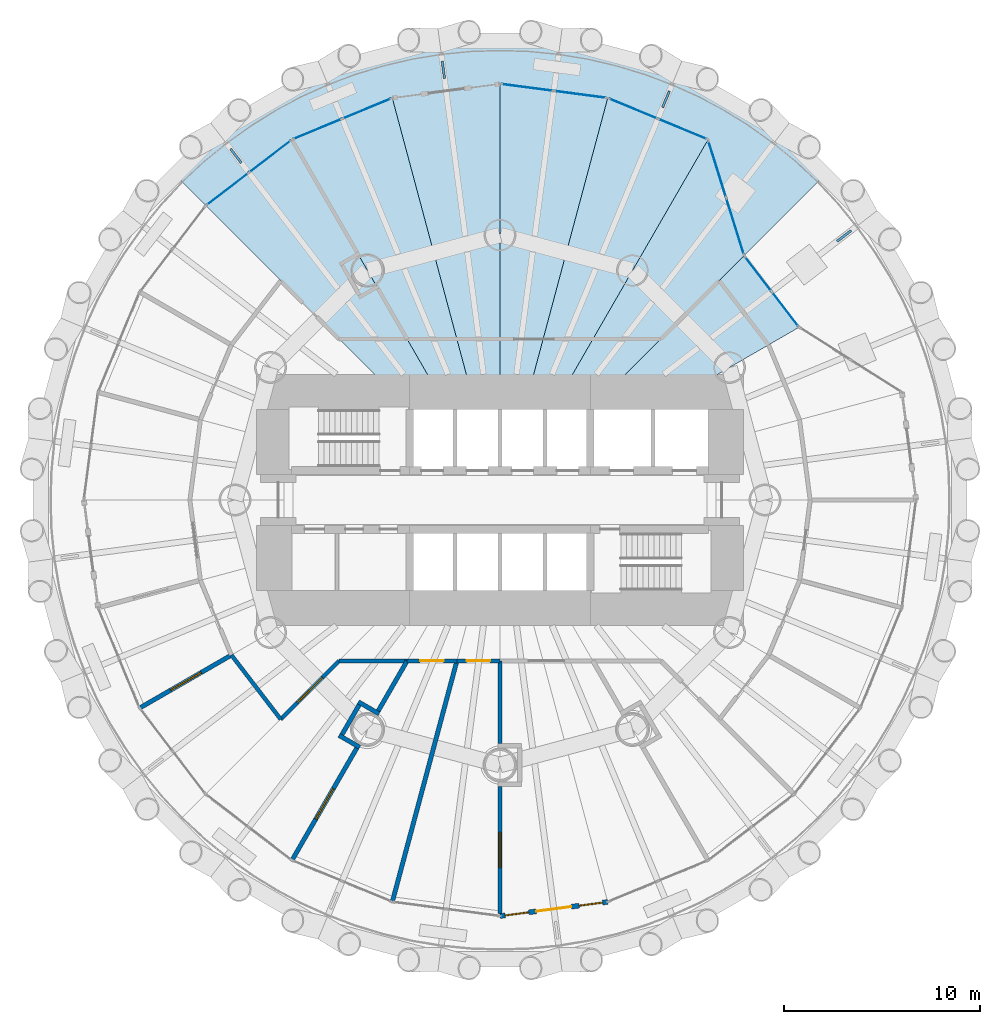
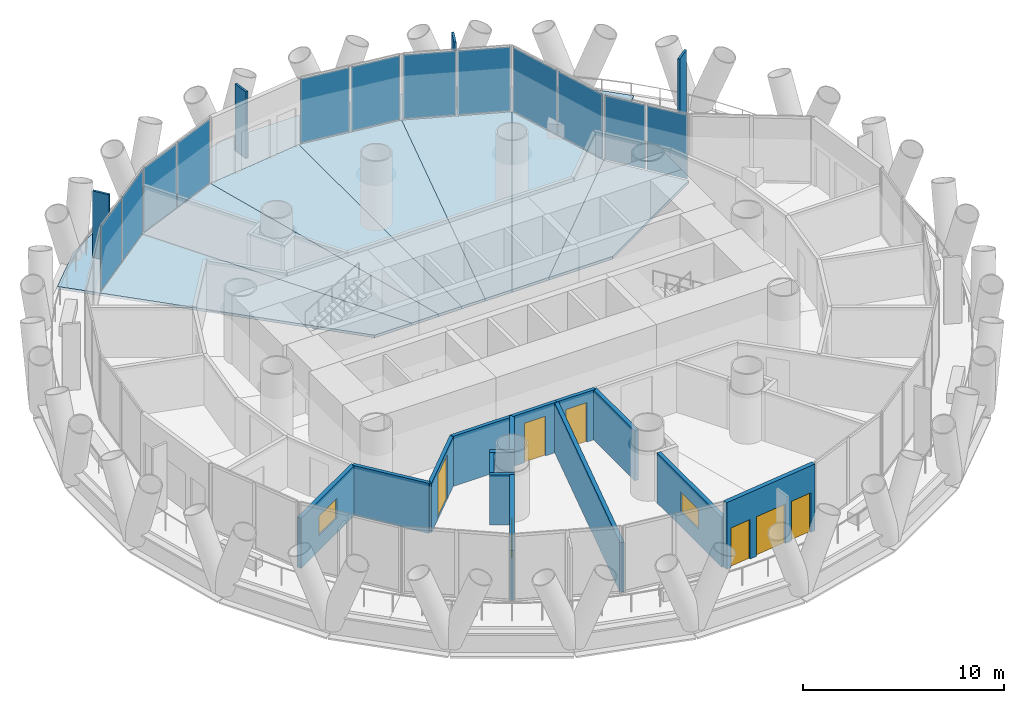
# One storey, part 8 of 15: 16 plates, 15 walls, 8 slabs, 5 windows, 4 doors, 9 openings, 6 elements without a shape of their own.
"""IFC4 building model written with IfcOpenShell, lengths in metres."""

from ifc_helpers import new_model, si_unit, direction, frame, frame_2d, origin, origin_2d, place, context, subcontext, project, spatial, polyline, rectangle, outline, extrude, material, layer, layer_set, type_object, element, fill, aggregate, save


model = new_model("IFC4")

# Units and contexts
model_context = context("Model", 3, precision=1e-05, world=origin(), true_north=direction((0.0, 1.0)))
body_context = subcontext(model_context, "Body", "Model", "MODEL_VIEW")
ifc_project = project(units=[si_unit("LENGTHUNIT", "METRE"), si_unit("AREAUNIT", "SQUARE_METRE"), si_unit("VOLUMEUNIT", "CUBIC_METRE"), si_unit("PLANEANGLEUNIT", "RADIAN"), si_unit("MASSUNIT", "GRAM", prefix="KILO")], contexts=[model_context])

# Site, building, storey
site_placement = place(None, origin())
site = spatial("IfcSite", under=ifc_project, at=site_placement, CompositionType="ELEMENT")
building_placement = place(site_placement, origin())
building = spatial("IfcBuilding", under=site, at=building_placement, Name="Qaws Media Tower", CompositionType="ELEMENT")
storey_placement = place(building_placement, frame((0.0, 0.0, 34.39990234375)))
storey = spatial("IfcBuildingStorey", under=building, at=storey_placement, Name="L06", CompositionType="ELEMENT", Elevation=34.39990234375)

# Slabs
ifc_material_1 = material(Name="Concrete C35/45", Category="concrete")
ifc_layer_1 = layer(ifc_material_1, 0.159912109375)
ifc_layer_set_1 = layer_set([ifc_layer_1], Name="Composite balcony slab 160")
slab_type_1 = type_object("IfcSlabType", Name="Composite balcony slab 160", PredefinedType="FLOOR", material=ifc_layer_set_1)
slab_1_placement = place(storey_placement, frame((0.0, 0.0, -0.159912109375)))
element("IfcSlab", 1, at=slab_1_placement, inside=storey, type_object=slab_type_1, Name="S2 balcony slab L06 R04 to R10, movement joints on R04 and R10", PredefinedType="FLOOR", context=body_context, shape_type="SweptSolid", body=[
    extrude(outline(polyline([(45.63330078125, 68.72314453125), (50.96875, 71.8037109375), (56.919677734375, 73.398193359375), (63.080322265625, 73.398193359375), (69.03125, 71.8037109375), (74.36669921875, 68.72314453125), (76.544921875, 66.544921875), (72.445068359375, 62.445068359375), (70.60009765625, 68.359619140625), (65.487060546875, 70.4775390625), (60.0, 71.199951171875), (54.512939453125, 70.4775390625), (49.39990234375, 68.359619140625), (45.00927734375, 64.99072265625), (43.455078125, 66.544921875), (45.63330078125, 68.72314453125)])), origin(), (0.0, 0.0, 1.0), 0.159912109375),
])
ifc_material_2 = material(Name="Concrete C35/45", Category="concrete")
ifc_layer_2 = layer(ifc_material_2, 0.159912109375)
ifc_layer_set_2 = layer_set([ifc_layer_2], Name="Composite floor slab 160")
slab_type_2 = type_object("IfcSlabType", Name="Composite floor slab 160", PredefinedType="FLOOR", material=ifc_layer_set_2)
slab_2_placement = place(storey_placement, frame((0.0, 0.0, -0.159912109375)))
element("IfcSlab", 2, at=slab_2_placement, inside=storey, type_object=slab_type_2, Name="S1 floor panel L06 on R03+7.5", PredefinedType="FLOOR", context=body_context, shape_type="SweptSolid", body=[
    extrude(outline(polyline([(72.445068359375, 62.445068359375), (75.241943359375, 58.800048828125), (68.660400390625, 55.0), (65.0, 55.0), (72.445068359375, 62.445068359375)])), origin(), (0.0, 0.0, 1.0), 0.159912109375),
])
slab_3_placement = place(storey_placement, frame((0.0, 0.0, -0.159912109375)))
element("IfcSlab", 3, at=slab_3_placement, inside=storey, type_object=slab_type_2, Name="S1 floor panel L06 on R04+7.5", PredefinedType="FLOOR", context=body_context, shape_type="SweptSolid", body=[
    extrude(outline(polyline([(72.445068359375, 62.445068359375), (65.0, 55.0), (62.88671875, 55.0), (70.60009765625, 68.359619140625), (72.445068359375, 62.445068359375)])), origin(), (0.0, 0.0, 1.0), 0.159912109375),
])
slab_4_placement = place(storey_placement, frame((0.0, 0.0, -0.159912109375)))
element("IfcSlab", 4, at=slab_4_placement, inside=storey, type_object=slab_type_2, Name="S1 floor panel L06 on R05+7.5", PredefinedType="FLOOR", context=body_context, shape_type="SweptSolid", body=[
    extrude(outline(polyline([(65.487060546875, 70.4775390625), (70.60009765625, 68.359619140625), (62.88671875, 55.0), (61.339599609375, 55.0), (65.487060546875, 70.4775390625)])), origin(), (0.0, 0.0, 1.0), 0.159912109375),
])
slab_5_placement = place(storey_placement, frame((0.0, 0.0, -0.159912109375)))
element("IfcSlab", 5, at=slab_5_placement, inside=storey, type_object=slab_type_2, Name="S1 floor panel L06 on R06+7.5", PredefinedType="FLOOR", context=body_context, shape_type="SweptSolid", body=[
    extrude(outline(polyline([(65.487060546875, 70.4775390625), (61.339599609375, 55.0), (60.0, 55.0), (60.0, 71.199951171875), (65.487060546875, 70.4775390625)])), origin(), (0.0, 0.0, 1.0), 0.159912109375),
])
slab_6_placement = place(storey_placement, frame((0.0, 0.0, -0.159912109375)))
element("IfcSlab", 6, at=slab_6_placement, inside=storey, type_object=slab_type_2, Name="S1 floor panel L06 on R07+7.5", PredefinedType="FLOOR", context=body_context, shape_type="SweptSolid", body=[
    extrude(outline(polyline([(60.0, 71.199951171875), (60.0, 55.0), (58.660400390625, 55.0), (54.512939453125, 70.4775390625), (60.0, 71.199951171875)])), origin(), (0.0, 0.0, 1.0), 0.159912109375),
])
slab_7_placement = place(storey_placement, frame((0.0, 0.0, -0.159912109375)))
element("IfcSlab", 7, at=slab_7_placement, inside=storey, type_object=slab_type_2, Name="S1 floor panel L06 on R08+7.5", PredefinedType="FLOOR", context=body_context, shape_type="SweptSolid", body=[
    extrude(outline(polyline([(49.39990234375, 68.359619140625), (54.512939453125, 70.4775390625), (58.660400390625, 55.0), (57.11328125, 55.0), (49.39990234375, 68.359619140625)])), origin(), (0.0, 0.0, 1.0), 0.159912109375),
])
slab_8_placement = place(storey_placement, frame((0.0, 0.0, -0.159912109375)))
element("IfcSlab", 8, at=slab_8_placement, inside=storey, type_object=slab_type_2, Name="S1 floor panel L06 on R09+7.5", PredefinedType="FLOOR", context=body_context, shape_type="SweptSolid", body=[
    extrude(outline(polyline([(49.39990234375, 68.359619140625), (57.11328125, 55.0), (55.0, 55.0), (45.00927734375, 64.99072265625), (49.39990234375, 68.359619140625)])), origin(), (0.0, 0.0, 1.0), 0.159912109375),
])

# Curtain wall, plates
ifc_material_3 = material(Name="Aluminium and clear glass", Category="aluminium")
curtain_wall_type_1 = type_object("IfcCurtainWallType", Name="Loggia curtain wall CW-G", PredefinedType="NOTDEFINED", material=ifc_material_3)
curtain_wall_1_placement = place(storey_placement, origin())
curtain_wall_1 = element("IfcCurtainWall", 9, at=curtain_wall_1_placement, inside=storey, type_object=curtain_wall_type_1, Name="CWG curtain wall L06-03", PredefinedType="NOTDEFINED")
ifc_material_4 = material(Name="Clear laminated double glazing", Category="glass")
ifc_layer_3 = layer(ifc_material_4, 0.031982421875)
ifc_layer_set_3 = layer_set([ifc_layer_3], Name="Curtain wall glass unit 32")
plate_type_1 = type_object("IfcPlateType", Name="Curtain wall glass unit 32", PredefinedType="CURTAIN_PANEL", material=ifc_layer_set_3)
plate_1_placement = place(storey_placement, frame((74.530517578125, 59.72705078125, 0.080078125), z_axis=(0.0, 0.0, 1.0), x_axis=(-0.608761498879, 0.793353286678, 0.0)))
plate_1 = element("IfcPlate", 10, at=plate_1_placement, type_object=plate_type_1, Name="CWG panel 1.1", PredefinedType="CURTAIN_PANEL", context=body_context, shape_type="SweptSolid", body=[
    extrude(rectangle(XDim=2.17724609375, YDim=0.031982421875, at=origin_2d()), origin(), (0.0, 0.0, 1.0), 3.8798828125),
])
plate_2_placement = place(storey_placement, frame((73.156494140625, 61.517822265625, 0.080078125), z_axis=(0.0, 0.0, 1.0), x_axis=(-0.608761498879, 0.793353286678, 0.0)))
plate_2 = element("IfcPlate", 11, at=plate_2_placement, type_object=plate_type_1, Name="CWG panel 2.1", PredefinedType="CURTAIN_PANEL", context=body_context, shape_type="SweptSolid", body=[
    extrude(rectangle(XDim=2.17724609375, YDim=0.031982421875, at=origin_2d()), origin(), (0.0, 0.0, 1.0), 3.8798828125),
])
aggregate(curtain_wall_1, [plate_1, plate_2])

curtain_wall_2_placement = place(storey_placement, origin())
curtain_wall_2 = element("IfcCurtainWall", 12, at=curtain_wall_2_placement, inside=storey, type_object=curtain_wall_type_1, Name="CWG curtain wall L06-04", PredefinedType="NOTDEFINED")
plate_3_placement = place(storey_placement, frame((71.977783203125, 63.94287109375, 0.080078125), z_axis=(0.0, 0.0, 1.0), x_axis=(-0.297796741414, 0.954629300201, 0.0)))
plate_3 = element("IfcPlate", 13, at=plate_3_placement, type_object=plate_type_1, Name="CWG panel 1.1", PredefinedType="CURTAIN_PANEL", context=body_context, shape_type="SweptSolid", body=[
    extrude(rectangle(XDim=2.977783203125, YDim=0.031982421875, at=origin_2d()), origin(), (0.0, 0.0, 1.0), 3.8798828125),
])
plate_4_placement = place(storey_placement, frame((71.067138671875, 66.862060546875, 0.080078125), z_axis=(0.0, 0.0, 1.0), x_axis=(-0.297796741414, 0.954629300201, 0.0)))
plate_4 = element("IfcPlate", 14, at=plate_4_placement, type_object=plate_type_1, Name="CWG panel 2.1", PredefinedType="CURTAIN_PANEL", context=body_context, shape_type="SweptSolid", body=[
    extrude(rectangle(XDim=2.977783203125, YDim=0.031982421875, at=origin_2d()), origin(), (0.0, 0.0, 1.0), 3.8798828125),
])
aggregate(curtain_wall_2, [plate_3, plate_4])

ifc_material_5 = material(Name="Aluminium and clear glass", Category="aluminium")
curtain_wall_type_2 = type_object("IfcCurtainWallType", Name="Unitised curtain wall CW-A", PredefinedType="NOTDEFINED", material=ifc_material_5)
curtain_wall_3_placement = place(storey_placement, origin())
curtain_wall_3 = element("IfcCurtainWall", 15, at=curtain_wall_3_placement, inside=storey, type_object=curtain_wall_type_2, Name="CWA curtain wall L06-05", PredefinedType="NOTDEFINED")
plate_5_placement = place(storey_placement, frame((69.30322265625, 68.89697265625, 0.080078125), z_axis=(0.0, 0.0, 1.0), x_axis=(-0.923879523321, 0.382683454553, 0.0)))
plate_5 = element("IfcPlate", 16, at=plate_5_placement, type_object=plate_type_1, Name="CWA panel 1.1", PredefinedType="CURTAIN_PANEL", context=body_context, shape_type="SweptSolid", body=[
    extrude(rectangle(XDim=2.647216796875, YDim=0.031982421875, at=origin_2d()), origin(), (0.0, 0.0, 1.0), 3.8798828125),
])
plate_6_placement = place(storey_placement, frame((66.78369140625, 69.9404296875, 0.080078125), z_axis=(0.0, 0.0, 1.0), x_axis=(-0.923879523321, 0.382683454553, 0.0)))
plate_6 = element("IfcPlate", 17, at=plate_6_placement, type_object=plate_type_1, Name="CWA panel 2.1", PredefinedType="CURTAIN_PANEL", context=body_context, shape_type="SweptSolid", body=[
    extrude(rectangle(XDim=2.647216796875, YDim=0.031982421875, at=origin_2d()), origin(), (0.0, 0.0, 1.0), 3.8798828125),
])
aggregate(curtain_wall_3, [plate_5, plate_6])

curtain_wall_4_placement = place(storey_placement, origin())
curtain_wall_4 = element("IfcCurtainWall", 18, at=curtain_wall_4_placement, inside=storey, type_object=curtain_wall_type_2, Name="CWA curtain wall L06-06", PredefinedType="NOTDEFINED")
plate_7_placement = place(storey_placement, frame((64.095458984375, 70.660888671875, 0.080078125), z_axis=(0.0, 0.0, 1.0), x_axis=(-0.991444873411, 0.130526100786, 0.0)))
plate_7 = element("IfcPlate", 19, at=plate_7_placement, type_object=plate_type_1, Name="CWA panel 1.1", PredefinedType="CURTAIN_PANEL", context=body_context, shape_type="SweptSolid", body=[
    extrude(rectangle(XDim=2.647216796875, YDim=0.031982421875, at=origin_2d()), origin(), (0.0, 0.0, 1.0), 3.8798828125),
])
plate_8_placement = place(storey_placement, frame((61.3916015625, 71.016845703125, 0.080078125), z_axis=(0.0, 0.0, 1.0), x_axis=(-0.991444873411, 0.130526100786, 0.0)))
plate_8 = element("IfcPlate", 20, at=plate_8_placement, type_object=plate_type_1, Name="CWA panel 2.1", PredefinedType="CURTAIN_PANEL", context=body_context, shape_type="SweptSolid", body=[
    extrude(rectangle(XDim=2.647216796875, YDim=0.031982421875, at=origin_2d()), origin(), (0.0, 0.0, 1.0), 3.8798828125),
])
aggregate(curtain_wall_4, [plate_7, plate_8])

curtain_wall_5_placement = place(storey_placement, origin())
curtain_wall_5 = element("IfcCurtainWall", 21, at=curtain_wall_5_placement, inside=storey, type_object=curtain_wall_type_2, Name="CWA curtain wall L06-08", PredefinedType="NOTDEFINED")
plate_9_placement = place(storey_placement, frame((53.21630859375, 69.9404296875, 0.080078125), z_axis=(0.0, 0.0, 1.0), x_axis=(-0.923879523321, -0.382683454553, 0.0)))
plate_9 = element("IfcPlate", 22, at=plate_9_placement, type_object=plate_type_1, Name="CWA panel 1.1", PredefinedType="CURTAIN_PANEL", context=body_context, shape_type="SweptSolid", body=[
    extrude(rectangle(XDim=2.647216796875, YDim=0.031982421875, at=origin_2d()), origin(), (0.0, 0.0, 1.0), 3.8798828125),
])
plate_10_placement = place(storey_placement, frame((50.69677734375, 68.89697265625, 0.080078125), z_axis=(0.0, 0.0, 1.0), x_axis=(-0.923879523321, -0.382683454553, 0.0)))
plate_10 = element("IfcPlate", 23, at=plate_10_placement, type_object=plate_type_1, Name="CWA panel 2.1", PredefinedType="CURTAIN_PANEL", context=body_context, shape_type="SweptSolid", body=[
    extrude(rectangle(XDim=2.647216796875, YDim=0.031982421875, at=origin_2d()), origin(), (0.0, 0.0, 1.0), 3.8798828125),
])
aggregate(curtain_wall_5, [plate_9, plate_10])

curtain_wall_6_placement = place(storey_placement, origin())
curtain_wall_6 = element("IfcCurtainWall", 24, at=curtain_wall_6_placement, inside=storey, type_object=curtain_wall_type_2, Name="CWA curtain wall L06-09", PredefinedType="NOTDEFINED")
plate_11_placement = place(storey_placement, frame((48.286376953125, 67.50537109375, 0.080078125), z_axis=(0.0, 0.0, 1.0), x_axis=(-0.793353338751, -0.608761431016, 0.0)))
plate_11 = element("IfcPlate", 25, at=plate_11_placement, type_object=plate_type_1, Name="CWA panel 1.1", PredefinedType="CURTAIN_PANEL", context=body_context, shape_type="SweptSolid", body=[
    extrude(rectangle(XDim=2.647216796875, YDim=0.031982421875, at=origin_2d()), origin(), (0.0, 0.0, 1.0), 3.8798828125),
])
plate_12_placement = place(storey_placement, frame((46.122802734375, 65.84521484375, 0.080078125), z_axis=(0.0, 0.0, 1.0), x_axis=(-0.793353338751, -0.608761431016, 0.0)))
plate_12 = element("IfcPlate", 26, at=plate_12_placement, type_object=plate_type_1, Name="CWA panel 2.1", PredefinedType="CURTAIN_PANEL", context=body_context, shape_type="SweptSolid", body=[
    extrude(rectangle(XDim=2.647216796875, YDim=0.031982421875, at=origin_2d()), origin(), (0.0, 0.0, 1.0), 3.8798828125),
])
aggregate(curtain_wall_6, [plate_11, plate_12])

# Plates
ifc_material_6 = material(Name="Precast concrete screen fin", Category="concrete")
ifc_layer_4 = layer(ifc_material_6, 0.1201171875)
ifc_layer_set_4 = layer_set([ifc_layer_4], Name="Screen fin 120x900")
plate_type_2 = type_object("IfcPlateType", Name="Screen fin 120x900", PredefinedType="USERDEFINED", material=ifc_layer_set_4)
for number, where, z_axis, x_axis, name in (
    (27, (77.533203125, 63.45361328125, 0.0), (0.0, 0.0, 1.0), (0.793353340291, 0.608761429009, 0.0), "SCR1 screen fin L06-02"),
    (28, (68.457275390625, 70.417724609375, 0.0), (0.0, 0.0, 1.0), (0.382683432365, 0.923879532511, 0.0), "SCR1 screen fin L06-03"),
    (29, (57.115478515625, 71.910888671875, 0.0), (0.0, 0.0, 1.0), (-0.13052619222, 0.991444861374, 0.0), "SCR1 screen fin L06-04"),
    (30, (46.54638671875, 67.533203125, 0.0), (0.0, 0.0, 1.0), (-0.608761429009, 0.793353340291, 0.0), "SCR1 screen fin L06-05"),
):
    element("IfcPlate", number, at=place(storey_placement, frame(where, z_axis=z_axis, x_axis=x_axis)), inside=storey, type_object=plate_type_2, Name=name, ObjectType="SCREEN", PredefinedType="USERDEFINED", context=body_context, shape_type="SweptSolid", body=[
        extrude(rectangle(XDim=0.89990234375, YDim=0.1201171875, at=origin_2d()), origin(), (0.0, 0.0, 1.0), 4.0400390625),
    ])

# Wall, opening, window
ifc_material_7 = material(Name="Twin metal stud frames, two layers gypsum board each side, insulated, Rw 55", Category="gypsum")
ifc_layer_5 = layer(ifc_material_7, 0.22509765625)
ifc_layer_set_5 = layer_set([ifc_layer_5], Name="Acoustic twin-stud partition 225 Rw 55")
wall_type_1 = type_object("IfcWallType", Name="Acoustic twin-stud partition 225 Rw 55", PredefinedType="PARTITIONING", material=ifc_layer_set_5)
wall_1_placement = place(storey_placement, frame((46.31689453125, 42.10009765625, 0.0), z_axis=(0.0, 0.0, 1.0), x_axis=(-0.866020236886, -0.500008949224, 0.0)))
wall_1 = element("IfcWall", 31, at=wall_1_placement, inside=storey, type_object=wall_type_1, Name="W025 IW6 partition L06", PredefinedType="PARTITIONING", context=body_context, shape_type="SweptSolid", body=[
    extrude(rectangle(XDim=5.3603515625, YDim=0.22509765625, at=frame_2d((2.68017578125, 0.0))), origin(), (0.0, 0.0, 1.0), 3.0400390625),
])
opening_1_placement = place(wall_1_placement, frame((1.780029296875, 0.0, 0.89990234375)))
opening_1 = element("IfcOpeningElement", 32, at=opening_1_placement, cuts=wall_1, Name="Opening W8", PredefinedType="OPENING", context=body_context, shape_type="SweptSolid", body=[
    extrude(rectangle(XDim=1.800048828125, YDim=1.199951171875, at=frame_2d((0.89990234375, 0.60009765625))), frame((0.0, 0.12255859375, 0.0), z_axis=(0.0, -1.0, 0.0), x_axis=(1.0, 0.0, 0.0)), (0.0, 0.0, 1.0), 0.2451171875),
])
ifc_material_8 = material(Name="Laminated acoustic double glazing, Rw 50, in steel frame", Category="steel")
window_type_1 = type_object("IfcWindowType", Name="Control room observation window 1800x1200", PartitioningType="SINGLE_PANEL", PredefinedType="WINDOW", material=ifc_material_8)
window_1_placement = place(opening_1_placement, origin())
window_1 = element("IfcWindow", 33, at=window_1_placement, inside=storey, type_object=window_type_1, Name="W8 control room observation window L06", OverallHeight=1.199951171875, OverallWidth=1.800048828125, PartitioningType="SINGLE_PANEL", PredefinedType="WINDOW", context=body_context, shape_type="SweptSolid", body=[
    extrude(rectangle(XDim=1.800048828125, YDim=1.199951171875, at=frame_2d((0.89990234375, 0.60009765625))), frame((0.0, 0.030029296875, 0.0), z_axis=(0.0, -1.0, 0.0), x_axis=(1.0, 0.0, 0.0)), (0.0, 0.0, 1.0), 0.06005859375),
])
fill(opening_1, window_1)

# Walls
wall_2_placement = place(storey_placement, frame((53.840087890625, 39.10595703125, 0.0), z_axis=(0.0, 0.0, 1.0), x_axis=(-0.866055662726, 0.499947586314, 0.0)))
element("IfcWall", 34, at=wall_2_placement, inside=storey, type_object=wall_type_1, Name="W008 IW6 partition return L06", PredefinedType="PARTITIONING", context=body_context, shape_type="SweptSolid", body=[
    extrude(rectangle(XDim=1.220458984375, YDim=0.22509765625, at=frame_2d((0.6103515625, 0.0))), origin(), (0.0, 0.0, 1.0), 3.02001953125),
])
wall_3_placement = place(storey_placement, frame((52.854736328125, 37.39892578125, 0.0), z_axis=(0.0, 0.0, 1.0), x_axis=(-0.866019052629, 0.500011000363, 0.0)))
element("IfcWall", 35, at=wall_3_placement, inside=storey, type_object=wall_type_1, Name="W007 IW6 partition return L06", PredefinedType="PARTITIONING", context=body_context, shape_type="SweptSolid", body=[
    extrude(rectangle(XDim=1.220703125, YDim=0.22509765625, at=frame_2d((0.6103515625, 0.0))), origin(), (0.0, 0.0, 1.0), 3.02001953125),
])
wall_4_placement = place(storey_placement, frame((52.824462890625, 39.5625, 0.0), z_axis=(0.0, 0.0, 1.0), x_axis=(-0.499988720078, -0.866031916153, 0.0)))
element("IfcWall", 36, at=wall_4_placement, inside=storey, type_object=wall_type_1, Name="W006 IW6 partition return L06", PredefinedType="PARTITIONING", context=body_context, shape_type="SweptSolid", body=[
    extrude(rectangle(XDim=1.74609375, YDim=0.22509765625, at=frame_2d((0.873046875, 0.0))), origin(), (0.0, 0.0, 1.0), 3.02001953125),
])
wall_5_placement = place(storey_placement, frame((55.27001953125, 41.807373046875, 0.0), z_axis=(0.0, 0.0, 1.0), x_axis=(-0.49998584623, -0.866033575313, 0.0)))
element("IfcWall", 37, at=wall_5_placement, inside=storey, type_object=wall_type_1, Name="W009 IW6 partition L06", PredefinedType="PARTITIONING", context=body_context, shape_type="SweptSolid", body=[
    extrude(rectangle(XDim=2.94189453125, YDim=0.22509765625, at=frame_2d((1.470947265625, 0.0))), origin(), (0.0, 0.0, 1.0), 3.0400390625),
])

# Wall, opening, window
wall_6_placement = place(storey_placement, frame((52.700927734375, 37.35791015625, 0.0), z_axis=(0.0, 0.0, 1.0), x_axis=(-0.499984386348, -0.866034418143, 0.0)))
wall_6 = element("IfcWall", 38, at=wall_6_placement, inside=storey, type_object=wall_type_1, Name="W027 IW6 partition L06", PredefinedType="PARTITIONING", context=body_context, shape_type="SweptSolid", body=[
    extrude(rectangle(XDim=6.562255859375, YDim=0.22509765625, at=frame_2d((3.28125, 0.0))), origin(), (0.0, 0.0, 1.0), 3.0400390625),
])
opening_2_placement = place(wall_6_placement, frame((2.381103515625, 0.0, 0.89990234375)))
opening_2 = element("IfcOpeningElement", 39, at=opening_2_placement, cuts=wall_6, Name="Opening W8", PredefinedType="OPENING", context=body_context, shape_type="SweptSolid", body=[
    extrude(rectangle(XDim=1.800048828125, YDim=1.199951171875, at=frame_2d((0.89990234375, 0.60009765625))), frame((0.0, 0.12255859375, 0.0), z_axis=(0.0, -1.0, 0.0), x_axis=(1.0, 0.0, 0.0)), (0.0, 0.0, 1.0), 0.2451171875),
])
window_2_placement = place(opening_2_placement, origin())
window_2 = element("IfcWindow", 40, at=window_2_placement, inside=storey, type_object=window_type_1, Name="W8 control room observation window L06", OverallHeight=1.199951171875, OverallWidth=1.800048828125, PartitioningType="SINGLE_PANEL", PredefinedType="WINDOW", context=body_context, shape_type="SweptSolid", body=[
    extrude(rectangle(XDim=1.800048828125, YDim=1.199951171875, at=frame_2d((0.89990234375, 0.60009765625))), frame((0.0, 0.030029296875, 0.0), z_axis=(0.0, -1.0, 0.0), x_axis=(1.0, 0.0, 0.0)), (0.0, 0.0, 1.0), 0.06005859375),
])
fill(opening_2, window_2)

# Walls
wall_7_placement = place(storey_placement, frame((57.80517578125, 41.808837890625, 0.0), z_axis=(0.0, 0.0, 1.0), x_axis=(-0.258815324006, -0.965926823346, 0.0)))
element("IfcWall", 41, at=wall_7_placement, inside=storey, type_object=wall_type_1, Name="W028 IW6 partition L06", PredefinedType="PARTITIONING", context=body_context, shape_type="SweptSolid", body=[
    extrude(rectangle(XDim=12.679931640625, YDim=0.22509765625, at=frame_2d((6.33984375, 0.0))), origin(), (0.0, 0.0, 1.0), 3.02001953125),
])
wall_8_placement = place(storey_placement, frame((60.0, 41.800048828125, 0.0), z_axis=(0.0, 0.0, 1.0), x_axis=(0.0, -1.0, 0.0)))
element("IfcWall", 42, at=wall_8_placement, inside=storey, type_object=wall_type_1, Name="W014 IW6 partition L06", PredefinedType="PARTITIONING", context=body_context, shape_type="SweptSolid", body=[
    extrude(rectangle(XDim=4.2021484375, YDim=0.22509765625, at=frame_2d((2.10107421875, 0.0))), origin(), (0.0, 0.0, 1.0), 3.0400390625),
])

# Wall, opening, window
wall_9_placement = place(storey_placement, frame((60.0, 35.402099609375, 0.0), z_axis=(0.0, 0.0, 1.0), x_axis=(0.0, -1.0, 0.0)))
wall_9 = element("IfcWall", 43, at=wall_9_placement, inside=storey, type_object=wall_type_1, Name="W029 IW6 partition L06", PredefinedType="PARTITIONING", context=body_context, shape_type="SweptSolid", body=[
    extrude(rectangle(XDim=6.462158203125, YDim=0.22509765625, at=frame_2d((3.23095703125, 0.0))), origin(), (0.0, 0.0, 1.0), 3.0400390625),
])
opening_3_placement = place(wall_9_placement, frame((2.3310546875, 0.0, 0.89990234375)))
opening_3 = element("IfcOpeningElement", 44, at=opening_3_placement, cuts=wall_9, Name="Opening W8", PredefinedType="OPENING", context=body_context, shape_type="SweptSolid", body=[
    extrude(rectangle(XDim=1.800048828125, YDim=1.199951171875, at=frame_2d((0.89990234375, 0.60009765625))), frame((0.0, 0.12255859375, 0.0), z_axis=(0.0, -1.0, 0.0), x_axis=(1.0, 0.0, 0.0)), (0.0, 0.0, 1.0), 0.2451171875),
])
window_3_placement = place(opening_3_placement, origin())
window_3 = element("IfcWindow", 45, at=window_3_placement, inside=storey, type_object=window_type_1, Name="W8 control room observation window L06", OverallHeight=1.199951171875, OverallWidth=1.800048828125, PartitioningType="SINGLE_PANEL", PredefinedType="WINDOW", context=body_context, shape_type="SweptSolid", body=[
    extrude(rectangle(XDim=1.800048828125, YDim=1.199951171875, at=frame_2d((0.89990234375, 0.60009765625))), frame((0.0, 0.030029296875, 0.0), z_axis=(0.0, -1.0, 0.0), x_axis=(1.0, 0.0, 0.0)), (0.0, 0.0, 1.0), 0.06005859375),
])
fill(opening_3, window_3)

# Wall, openings, door, windows
ifc_material_9 = material(Name="Precast concrete, exposed finish", Category="concrete")
ifc_layer_6 = layer(ifc_material_9, 0.25)
ifc_layer_set_6 = layer_set([ifc_layer_6], Name="Balcony door wall 250")
wall_type_2 = type_object("IfcWallType", Name="Balcony door wall 250", PredefinedType="SOLIDWALL", material=ifc_layer_set_6)
wall_10_placement = place(storey_placement, frame((60.0, 28.800048828125, 0.0), z_axis=(0.0, 0.0, 1.0), x_axis=(0.991444232742, 0.130530967061, 0.0)))
wall_10 = element("IfcWall", 46, at=wall_10_placement, inside=storey, type_object=wall_type_2, Name="W114 EW1 balcony door wall L06-19", PredefinedType="SOLIDWALL", context=body_context, shape_type="SweptSolid", body=[
    extrude(rectangle(XDim=5.534423828125, YDim=0.25, at=frame_2d((2.76708984375, 0.0))), origin(), (0.0, 0.0, 1.0), 4.0400390625),
])
opening_4_placement = place(wall_10_placement, frame((1.8671875, 0.0, 0.0)))
opening_4 = element("IfcOpeningElement", 47, at=opening_4_placement, cuts=wall_10, Name="Opening D7", PredefinedType="OPENING", context=body_context, shape_type="SweptSolid", body=[
    extrude(rectangle(XDim=1.800048828125, YDim=2.39990234375, at=frame_2d((0.89990234375, 1.199951171875))), frame((0.0, 0.135009765625, 0.0), z_axis=(0.0, -1.0, 0.0), x_axis=(1.0, 0.0, 0.0)), (0.0, 0.0, 1.0), 0.27001953125),
])
opening_5_placement = place(wall_10_placement, frame((0.26708984375, 0.0, 0.0)))
opening_5 = element("IfcOpeningElement", 48, at=opening_5_placement, cuts=wall_10, Name="Opening W1", PredefinedType="OPENING", context=body_context, shape_type="SweptSolid", body=[
    extrude(rectangle(XDim=1.199951171875, YDim=2.39990234375, at=frame_2d((0.60009765625, 1.199951171875))), frame((0.0, 0.135009765625, 0.0), z_axis=(0.0, -1.0, 0.0), x_axis=(1.0, 0.0, 0.0)), (0.0, 0.0, 1.0), 0.27001953125),
])
opening_6_placement = place(wall_10_placement, frame((4.067138671875, 0.0, 0.0)))
opening_6 = element("IfcOpeningElement", 49, at=opening_6_placement, cuts=wall_10, Name="Opening W1", PredefinedType="OPENING", context=body_context, shape_type="SweptSolid", body=[
    extrude(rectangle(XDim=1.199951171875, YDim=2.39990234375, at=frame_2d((0.60009765625, 1.199951171875))), frame((0.0, 0.135009765625, 0.0), z_axis=(0.0, -1.0, 0.0), x_axis=(1.0, 0.0, 0.0)), (0.0, 0.0, 1.0), 0.27001953125),
])
ifc_material_10 = material(Name="Aluminium and clear glass", Category="aluminium")
door_type_1 = type_object("IfcDoorType", Name="Balcony door pair 1800", OperationType="DOUBLE_DOOR_SLIDING", PredefinedType="DOOR", material=ifc_material_10)
door_1_placement = place(opening_4_placement, origin())
door_1 = element("IfcDoor", 50, at=door_1_placement, inside=storey, type_object=door_type_1, Name="D7 balcony door L06-19 in wall W114", OperationType="DOUBLE_DOOR_SLIDING", OverallHeight=2.39990234375, OverallWidth=1.800048828125, PredefinedType="DOOR", context=body_context, shape_type="SweptSolid", body=[
    extrude(rectangle(XDim=1.800048828125, YDim=2.39990234375, at=frame_2d((0.89990234375, 1.199951171875))), frame((0.0, 0.02490234375, 0.0), z_axis=(0.0, -1.0, 0.0), x_axis=(1.0, 0.0, 0.0)), (0.0, 0.0, 1.0), 0.050048828125),
])
fill(opening_4, door_1)
ifc_material_11 = material(Name="Aluminium and clear glass", Category="aluminium")
window_type_2 = type_object("IfcWindowType", Name="Balcony side window 1200", PartitioningType="SINGLE_PANEL", PredefinedType="WINDOW", material=ifc_material_11)
window_4_placement = place(opening_5_placement, origin())
window_4 = element("IfcWindow", 51, at=window_4_placement, inside=storey, type_object=window_type_2, Name="W1 balcony side light L06-19L", OverallHeight=2.39990234375, OverallWidth=1.199951171875, PartitioningType="SINGLE_PANEL", PredefinedType="WINDOW", context=body_context, shape_type="SweptSolid", body=[
    extrude(rectangle(XDim=1.199951171875, YDim=2.39990234375, at=frame_2d((0.60009765625, 1.199951171875))), frame((0.0, 0.030029296875, 0.0), z_axis=(0.0, -1.0, 0.0), x_axis=(1.0, 0.0, 0.0)), (0.0, 0.0, 1.0), 0.06005859375),
])
fill(opening_5, window_4)
window_5_placement = place(opening_6_placement, origin())
window_5 = element("IfcWindow", 52, at=window_5_placement, inside=storey, type_object=window_type_2, Name="W1 balcony side light L06-19R", OverallHeight=2.39990234375, OverallWidth=1.199951171875, PartitioningType="SINGLE_PANEL", PredefinedType="WINDOW", context=body_context, shape_type="SweptSolid", body=[
    extrude(rectangle(XDim=1.199951171875, YDim=2.39990234375, at=frame_2d((0.60009765625, 1.199951171875))), frame((0.0, 0.030029296875, 0.0), z_axis=(0.0, -1.0, 0.0), x_axis=(1.0, 0.0, 0.0)), (0.0, 0.0, 1.0), 0.06005859375),
])
fill(opening_6, window_5)

# Wall, opening, door
ifc_material_12 = material(Name="Gypsum board on galvanised metal studs, acoustic double stud, deflection head", Category="gypsum")
ifc_layer_7 = layer(ifc_material_12, 0.199951171875)
ifc_layer_set_7 = layer_set([ifc_layer_7], Name="Room partition 200")
wall_type_3 = type_object("IfcWallType", Name="Room partition 200", PredefinedType="PARTITIONING", material=ifc_layer_set_7)
wall_11_placement = place(storey_placement, frame((51.800048828125, 41.800048828125, 0.0), z_axis=(0.0, 0.0, 1.0), x_axis=(-0.707106781187, -0.707106781187, 0.0)))
wall_11 = element("IfcWall", 53, at=wall_11_placement, inside=storey, type_object=wall_type_3, Name="W962 IW3 partition L06", PredefinedType="PARTITIONING", context=body_context, shape_type="SweptSolid", body=[
    extrude(rectangle(XDim=4.20361328125, YDim=0.199951171875, at=frame_2d((2.101806640625, 0.0))), origin(), (0.0, 0.0, 1.0), 3.02001953125),
])
opening_7_placement = place(wall_11_placement, frame((1.20166015625, 0.0, 0.0)))
opening_7 = element("IfcOpeningElement", 54, at=opening_7_placement, cuts=wall_11, Name="Opening D15", PredefinedType="OPENING", context=body_context, shape_type="SweptSolid", body=[
    extrude(rectangle(XDim=1.800048828125, YDim=2.699951171875, at=frame_2d((0.89990234375, 1.35009765625))), frame((0.0, 0.10986328125, 0.0), z_axis=(0.0, -1.0, 0.0), x_axis=(1.0, 0.0, 0.0)), (0.0, 0.0, 1.0), 0.219970703125),
])
ifc_material_13 = material(Name="Steel acoustic door set, Rw 50", Category="steel")
door_type_2 = type_object("IfcDoorType", Name="Studio acoustic door pair 1800x2700 Rw 50", OperationType="DOUBLE_DOOR_DOUBLE_SWING", PredefinedType="DOOR", material=ifc_material_13)
door_2_placement = place(opening_7_placement, origin())
door_2 = element("IfcDoor", 55, at=door_2_placement, inside=storey, type_object=door_type_2, Name="D15 Radio studio door L06 in wall W962", OperationType="DOUBLE_DOOR_DOUBLE_SWING", OverallHeight=2.699951171875, OverallWidth=1.800048828125, PredefinedType="DOOR", context=body_context, shape_type="SweptSolid", body=[
    extrude(rectangle(XDim=1.800048828125, YDim=2.699951171875, at=frame_2d((0.89990234375, 1.35009765625))), frame((0.0, 0.02490234375, 0.0), z_axis=(0.0, -1.0, 0.0), x_axis=(1.0, 0.0, 0.0)), (0.0, 0.0, 1.0), 0.050048828125),
])
fill(opening_7, door_2)

# Wall
wall_12_placement = place(storey_placement, frame((48.82763671875, 38.82763671875, 0.0), z_axis=(0.0, 0.0, 1.0), x_axis=(-0.608714823874, 0.793389099494, 0.0)))
element("IfcWall", 56, at=wall_12_placement, inside=storey, type_object=wall_type_3, Name="W948 IW3 partition L06", PredefinedType="PARTITIONING", context=body_context, shape_type="SweptSolid", body=[
    extrude(rectangle(XDim=4.124755859375, YDim=0.199951171875, at=frame_2d((2.0625, 0.0))), origin(), (0.0, 0.0, 1.0), 3.0400390625),
])

# Wall, opening, door
wall_13_placement = place(storey_placement, frame((60.0, 41.800048828125, 0.0), z_axis=(0.0, 0.0, 1.0), x_axis=(-1.0, 0.0, 0.0)))
wall_13 = element("IfcWall", 57, at=wall_13_placement, inside=storey, type_object=wall_type_3, Name="W972 IW3 partition L06", PredefinedType="PARTITIONING", context=body_context, shape_type="SweptSolid", body=[
    extrude(rectangle(XDim=2.197265625, YDim=0.199951171875, at=frame_2d((1.0986328125, 0.0))), origin(), (0.0, 0.0, 1.0), 3.0400390625),
])
opening_8_placement = place(wall_13_placement, frame((0.49853515625, 0.0, 0.0)))
opening_8 = element("IfcOpeningElement", 58, at=opening_8_placement, cuts=wall_13, Name="Opening D14", PredefinedType="OPENING", context=body_context, shape_type="SweptSolid", body=[
    extrude(rectangle(XDim=1.199951171875, YDim=2.39990234375, at=frame_2d((0.60009765625, 1.199951171875))), frame((0.0, 0.10986328125, 0.0), z_axis=(0.0, -1.0, 0.0), x_axis=(1.0, 0.0, 0.0)), (0.0, 0.0, 1.0), 0.219970703125),
])
ifc_material_14 = material(Name="Steel acoustic door set, Rw 45", Category="steel")
door_type_3 = type_object("IfcDoorType", Name="Acoustic door 1200x2400 Rw 45", OperationType="SINGLE_SWING_LEFT", PredefinedType="DOOR", material=ifc_material_14)
door_3_placement = place(opening_8_placement, origin())
door_3 = element("IfcDoor", 59, at=door_3_placement, inside=storey, type_object=door_type_3, Name="D14 Control room door L06 in wall W972", OperationType="SINGLE_SWING_LEFT", OverallHeight=2.39990234375, OverallWidth=1.199951171875, PredefinedType="DOOR", context=body_context, shape_type="SweptSolid", body=[
    extrude(rectangle(XDim=1.199951171875, YDim=2.39990234375, at=frame_2d((0.60009765625, 1.199951171875))), frame((0.0, 0.02490234375, 0.0), z_axis=(0.0, -1.0, 0.0), x_axis=(1.0, 0.0, 0.0)), (0.0, 0.0, 1.0), 0.050048828125),
])
fill(opening_8, door_3)

wall_14_placement = place(storey_placement, frame((57.802734375, 41.800048828125, 0.0), z_axis=(0.0, 0.0, 1.0), x_axis=(-1.0, 0.0, 0.0)))
wall_14 = element("IfcWall", 60, at=wall_14_placement, inside=storey, type_object=wall_type_3, Name="W971 IW3 partition L06", PredefinedType="PARTITIONING", context=body_context, shape_type="SweptSolid", body=[
    extrude(rectangle(XDim=2.537109375, YDim=0.199951171875, at=frame_2d((1.2685546875, 0.0))), origin(), (0.0, 0.0, 1.0), 3.0400390625),
])
opening_9_placement = place(wall_14_placement, frame((0.66845703125, 0.0, 0.0)))
opening_9 = element("IfcOpeningElement", 61, at=opening_9_placement, cuts=wall_14, Name="Opening D14", PredefinedType="OPENING", context=body_context, shape_type="SweptSolid", body=[
    extrude(rectangle(XDim=1.199951171875, YDim=2.39990234375, at=frame_2d((0.60009765625, 1.199951171875))), frame((0.0, 0.10986328125, 0.0), z_axis=(0.0, -1.0, 0.0), x_axis=(1.0, 0.0, 0.0)), (0.0, 0.0, 1.0), 0.219970703125),
])
door_4_placement = place(opening_9_placement, origin())
door_4 = element("IfcDoor", 62, at=door_4_placement, inside=storey, type_object=door_type_3, Name="D14 Control room door L06 in wall W971", OperationType="SINGLE_SWING_LEFT", OverallHeight=2.39990234375, OverallWidth=1.199951171875, PredefinedType="DOOR", context=body_context, shape_type="SweptSolid", body=[
    extrude(rectangle(XDim=1.199951171875, YDim=2.39990234375, at=frame_2d((0.60009765625, 1.199951171875))), frame((0.0, 0.02490234375, 0.0), z_axis=(0.0, -1.0, 0.0), x_axis=(1.0, 0.0, 0.0)), (0.0, 0.0, 1.0), 0.050048828125),
])
fill(opening_9, door_4)

# Wall
wall_15_placement = place(storey_placement, frame((55.265625, 41.800048828125, 0.0), z_axis=(0.0, 0.0, 1.0), x_axis=(-1.0, 0.0, 0.0)))
element("IfcWall", 63, at=wall_15_placement, inside=storey, type_object=wall_type_3, Name="W968 IW3 partition L06", PredefinedType="PARTITIONING", context=body_context, shape_type="SweptSolid", body=[
    extrude(rectangle(XDim=3.465576171875, YDim=0.199951171875, at=frame_2d((1.73291015625, 0.0))), origin(), (0.0, 0.0, 1.0), 3.0400390625),
])

save(model, "model.ifc")
